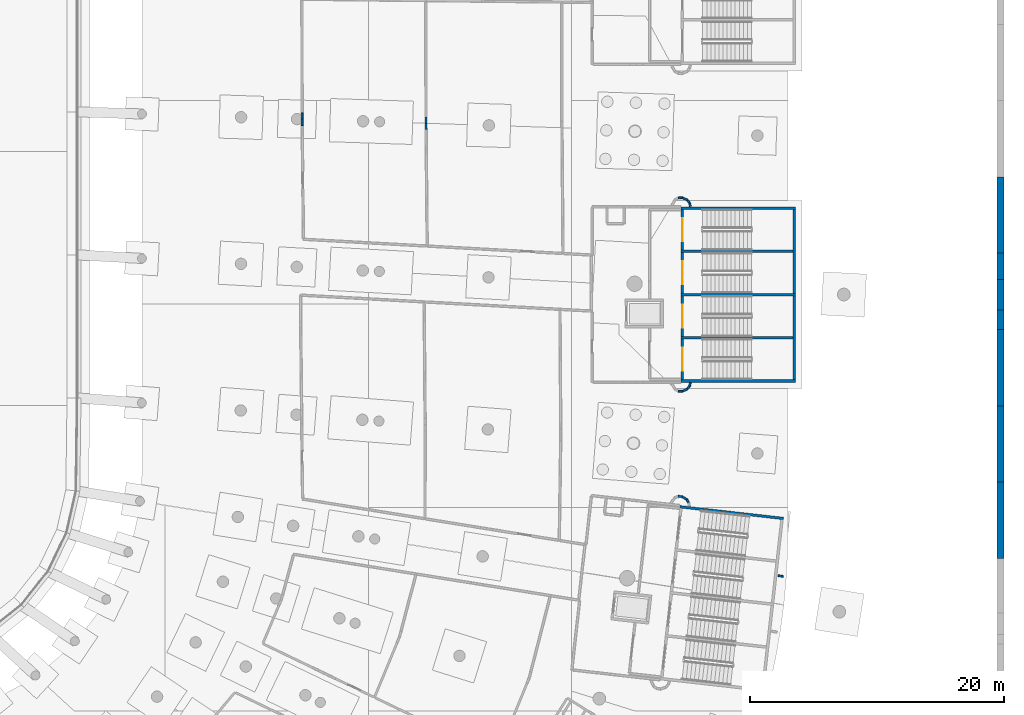
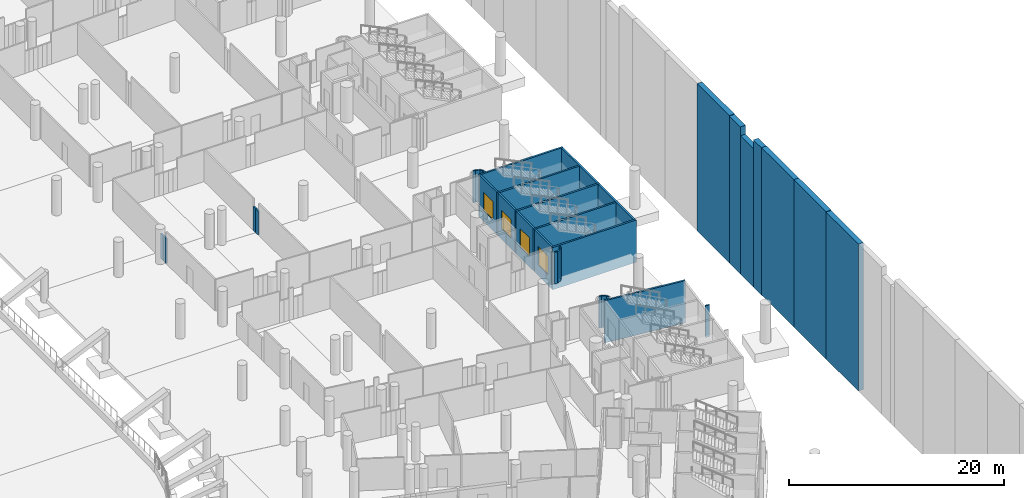
# One storey, part 63 of 142: 35 walls, 4 doors, 4 openings.
"""IFC4 building model written with IfcOpenShell, lengths in metres."""

from ifc_helpers import new_model, si_unit, direction, frame, frame_2d, origin, place, context, subcontext, project, spatial, rectangle, extrude, material, layer, layer_set, type_object, element, fill, save


model = new_model("IFC4")

# Units and contexts
model_context = context("Model", 3, precision=1e-05, world=origin(), true_north=direction((0.0, 1.0)))
body_context = subcontext(model_context, "Body", "Model", "MODEL_VIEW")
ifc_project = project(units=[si_unit("LENGTHUNIT", "METRE"), si_unit("AREAUNIT", "SQUARE_METRE"), si_unit("VOLUMEUNIT", "CUBIC_METRE"), si_unit("PLANEANGLEUNIT", "RADIAN"), si_unit("MASSUNIT", "GRAM", prefix="KILO")], contexts=[model_context])

# Site, building, storey
site_placement = place(None, origin())
site = spatial("IfcSite", under=ifc_project, at=site_placement, CompositionType="ELEMENT")
building_placement = place(site_placement, origin())
building = spatial("IfcBuilding", under=site, at=building_placement, Name="Meseta Stadium", CompositionType="ELEMENT")
storey_placement = place(building_placement, frame((0.0, 0.0, -4.0)))
storey = spatial("IfcBuildingStorey", under=building, at=storey_placement, Name="B1", CompositionType="ELEMENT", Elevation=-4.0)

# Walls
ifc_material_1 = material(Name="Concrete C40/50", Category="concrete")
ifc_layer_1 = layer(ifc_material_1, 0.199951171875)
ifc_layer_set_1 = layer_set([ifc_layer_1], Name="Core divider wall 200")
wall_type_1 = type_object("IfcWallType", Name="Core divider wall 200", PredefinedType="SHEAR", material=ifc_layer_set_1)
for number, where, z_axis, x_axis, name in (
    (1, (97.60009765625, -34.64990234375, -1.199951171875), (0.0, 0.0, 1.0), (-1.0, 0.0, 0.0), "Core 02 B1 stair A divider wall"),
    (2, (97.60009765625, -27.85009765625, -1.199951171875), (0.0, 0.0, 1.0), (-1.0, 0.0, 0.0), "Core 02 B1 stair B divider wall"),
):
    element("IfcWall", number, at=place(storey_placement, frame(where, z_axis=z_axis, x_axis=x_axis)), inside=storey, type_object=wall_type_1, Name=name, PredefinedType="SHEAR", context=body_context, shape_type="SweptSolid", body=[
        extrude(rectangle(XDim=9.0, YDim=0.199951171875, at=frame_2d((4.5, 0.0))), origin(), (0.0, 0.0, 1.0), 4.800048828125),
    ])
ifc_material_2 = material(Name="Concrete C40/50", Category="concrete")
ifc_layer_2 = layer(ifc_material_2, 0.199951171875)
ifc_layer_set_2 = layer_set([ifc_layer_2], Name="Core shaft wall 200")
wall_type_2 = type_object("IfcWallType", Name="Core shaft wall 200", PredefinedType="SHEAR", material=ifc_layer_set_2)
wall_1_placement = place(storey_placement, frame((96.645751953125, -48.86328125, -1.199951171875), z_axis=(0.0, 0.0, 1.0), x_axis=(-0.993714104693, 0.111947658007, 0.0)))
element("IfcWall", 3, at=wall_1_placement, inside=storey, type_object=wall_type_2, Name="Core 01 B1 stair wall B-side", PredefinedType="SHEAR", context=body_context, shape_type="SweptSolid", body=[
    extrude(rectangle(XDim=8.199951171875, YDim=0.199951171875, at=frame_2d((4.10009765625, 0.0))), origin(), (0.0, 0.0, 1.0), 4.800048828125),
])
for number, where, z_axis, x_axis, name in (
    (4, (97.60009765625, -38.050048828125, -1.199951171875), (0.0, 0.0, 1.0), (-1.0, 0.0, 0.0), "Core 02 B1 stair wall A-side"),
    (5, (97.60009765625, -31.25, -1.199951171875), (0.0, 0.0, 1.0), (-1.0, 0.0, 0.0), "Core 02 B1 stair wall shared"),
    (6, (97.60009765625, -24.449951171875, -1.199951171875), (0.0, 0.0, 1.0), (-1.0, 0.0, 0.0), "Core 02 B1 stair wall B-side"),
):
    element("IfcWall", number, at=place(storey_placement, frame(where, z_axis=z_axis, x_axis=x_axis)), inside=storey, type_object=wall_type_2, Name=name, PredefinedType="SHEAR", context=body_context, shape_type="SweptSolid", body=[
        extrude(rectangle(XDim=9.0, YDim=0.199951171875, at=frame_2d((4.5, 0.0))), origin(), (0.0, 0.0, 1.0), 4.800048828125),
    ])
for number, where, z_axis, x_axis, name in (
    (7, (97.5, -37.949951171875, -1.199951171875), (0.0, 0.0, 1.0), (0.0, 1.0, 0.0), "Core 02 B1 stair A outer end wall"),
    (8, (97.5, -31.14990234375, -1.199951171875), (0.0, 0.0, 1.0), (0.0, 1.0, 0.0), "Core 02 B1 stair B outer end wall"),
):
    element("IfcWall", number, at=place(storey_placement, frame(where, z_axis=z_axis, x_axis=x_axis)), inside=storey, type_object=wall_type_2, Name=name, PredefinedType="SHEAR", context=body_context, shape_type="SweptSolid", body=[
        extrude(rectangle(XDim=6.599853515625, YDim=0.199951171875, at=frame_2d((3.2998046875, 0.0))), origin(), (0.0, 0.0, 1.0), 4.800048828125),
    ])

# Wall, opening, door
wall_2_placement = place(storey_placement, frame((88.699951171875, -37.949951171875, -1.199951171875), z_axis=(0.0, 0.0, 1.0), x_axis=(0.0, 1.0, 0.0)))
wall_2 = element("IfcWall", 9, at=wall_2_placement, inside=storey, type_object=wall_type_2, Name="Core 02 B1 stair A1 inner end wall", PredefinedType="SHEAR", context=body_context, shape_type="SweptSolid", body=[
    extrude(rectangle(XDim=3.199951171875, YDim=0.199951171875, at=frame_2d((1.60009765625, 0.0))), origin(), (0.0, 0.0, 1.0), 4.800048828125),
])
opening_1_placement = place(wall_2_placement, frame((0.699951171875, 0.0, 1.199951171875)))
opening_1 = element("IfcOpeningElement", 10, at=opening_1_placement, cuts=wall_2, Name="Opening D043", PredefinedType="OPENING", context=body_context, shape_type="SweptSolid", body=[
    extrude(rectangle(XDim=1.800048828125, YDim=2.10009765625, at=frame_2d((0.89990234375, 1.050048828125))), frame((0.0, 0.10986328125, 0.0), z_axis=(0.0, -1.0, 0.0), x_axis=(1.0, 0.0, 0.0)), (0.0, 0.0, 1.0), 0.219970703125),
])
ifc_material_3 = material(Name="Steel", Category="steel")
door_type = type_object("IfcDoorType", Name="Stair door 1800x2100", OperationType="DOUBLE_DOOR_SINGLE_SWING", PredefinedType="DOOR", material=ifc_material_3)
door_1_placement = place(opening_1_placement, origin())
door_1 = element("IfcDoor", 11, at=door_1_placement, inside=storey, type_object=door_type, Name="Stair A1 door 02 B1", OperationType="DOUBLE_DOOR_SINGLE_SWING", OverallHeight=2.10009765625, OverallWidth=1.800048828125, PredefinedType="DOOR", context=body_context, shape_type="SweptSolid", body=[
    extrude(rectangle(XDim=1.800048828125, YDim=2.10009765625, at=frame_2d((0.89990234375, 1.050048828125))), frame((0.0, 0.02490234375, 0.0), z_axis=(0.0, -1.0, 0.0), x_axis=(1.0, 0.0, 0.0)), (0.0, 0.0, 1.0), 0.050048828125),
])
fill(opening_1, door_1)

wall_3_placement = place(storey_placement, frame((88.699951171875, -34.550048828125, -1.199951171875), z_axis=(0.0, 0.0, 1.0), x_axis=(0.0, 1.0, 0.0)))
wall_3 = element("IfcWall", 12, at=wall_3_placement, inside=storey, type_object=wall_type_2, Name="Core 02 B1 stair A2 inner end wall", PredefinedType="SHEAR", context=body_context, shape_type="SweptSolid", body=[
    extrude(rectangle(XDim=3.199951171875, YDim=0.199951171875, at=frame_2d((1.60009765625, 0.0))), origin(), (0.0, 0.0, 1.0), 4.800048828125),
])
opening_2_placement = place(wall_3_placement, frame((0.699951171875, 0.0, 1.199951171875)))
opening_2 = element("IfcOpeningElement", 13, at=opening_2_placement, cuts=wall_3, Name="Opening D044", PredefinedType="OPENING", context=body_context, shape_type="SweptSolid", body=[
    extrude(rectangle(XDim=1.800048828125, YDim=2.10009765625, at=frame_2d((0.89990234375, 1.050048828125))), frame((0.0, 0.10986328125, 0.0), z_axis=(0.0, -1.0, 0.0), x_axis=(1.0, 0.0, 0.0)), (0.0, 0.0, 1.0), 0.219970703125),
])
door_2_placement = place(opening_2_placement, origin())
door_2 = element("IfcDoor", 14, at=door_2_placement, inside=storey, type_object=door_type, Name="Stair A2 door 02 B1", OperationType="DOUBLE_DOOR_SINGLE_SWING", OverallHeight=2.10009765625, OverallWidth=1.800048828125, PredefinedType="DOOR", context=body_context, shape_type="SweptSolid", body=[
    extrude(rectangle(XDim=1.800048828125, YDim=2.10009765625, at=frame_2d((0.89990234375, 1.050048828125))), frame((0.0, 0.02490234375, 0.0), z_axis=(0.0, -1.0, 0.0), x_axis=(1.0, 0.0, 0.0)), (0.0, 0.0, 1.0), 0.050048828125),
])
fill(opening_2, door_2)

wall_4_placement = place(storey_placement, frame((88.699951171875, -31.14990234375, -1.199951171875), z_axis=(0.0, 0.0, 1.0), x_axis=(0.0, 1.0, 0.0)))
wall_4 = element("IfcWall", 15, at=wall_4_placement, inside=storey, type_object=wall_type_2, Name="Core 02 B1 stair B1 inner end wall", PredefinedType="SHEAR", context=body_context, shape_type="SweptSolid", body=[
    extrude(rectangle(XDim=3.199951171875, YDim=0.199951171875, at=frame_2d((1.60009765625, 0.0))), origin(), (0.0, 0.0, 1.0), 4.800048828125),
])
opening_3_placement = place(wall_4_placement, frame((0.699951171875, 0.0, 1.199951171875)))
opening_3 = element("IfcOpeningElement", 16, at=opening_3_placement, cuts=wall_4, Name="Opening D045", PredefinedType="OPENING", context=body_context, shape_type="SweptSolid", body=[
    extrude(rectangle(XDim=1.800048828125, YDim=2.10009765625, at=frame_2d((0.89990234375, 1.050048828125))), frame((0.0, 0.10986328125, 0.0), z_axis=(0.0, -1.0, 0.0), x_axis=(1.0, 0.0, 0.0)), (0.0, 0.0, 1.0), 0.219970703125),
])
door_3_placement = place(opening_3_placement, origin())
door_3 = element("IfcDoor", 17, at=door_3_placement, inside=storey, type_object=door_type, Name="Stair B1 door 02 B1", OperationType="DOUBLE_DOOR_SINGLE_SWING", OverallHeight=2.10009765625, OverallWidth=1.800048828125, PredefinedType="DOOR", context=body_context, shape_type="SweptSolid", body=[
    extrude(rectangle(XDim=1.800048828125, YDim=2.10009765625, at=frame_2d((0.89990234375, 1.050048828125))), frame((0.0, 0.02490234375, 0.0), z_axis=(0.0, -1.0, 0.0), x_axis=(1.0, 0.0, 0.0)), (0.0, 0.0, 1.0), 0.050048828125),
])
fill(opening_3, door_3)

wall_5_placement = place(storey_placement, frame((88.699951171875, -27.75, -1.199951171875), z_axis=(0.0, 0.0, 1.0), x_axis=(0.0, 1.0, 0.0)))
wall_5 = element("IfcWall", 18, at=wall_5_placement, inside=storey, type_object=wall_type_2, Name="Core 02 B1 stair B2 inner end wall", PredefinedType="SHEAR", context=body_context, shape_type="SweptSolid", body=[
    extrude(rectangle(XDim=3.199951171875, YDim=0.199951171875, at=frame_2d((1.60009765625, 0.0))), origin(), (0.0, 0.0, 1.0), 4.800048828125),
])
opening_4_placement = place(wall_5_placement, frame((0.699951171875, 0.0, 1.199951171875)))
opening_4 = element("IfcOpeningElement", 19, at=opening_4_placement, cuts=wall_5, Name="Opening D046", PredefinedType="OPENING", context=body_context, shape_type="SweptSolid", body=[
    extrude(rectangle(XDim=1.800048828125, YDim=2.10009765625, at=frame_2d((0.89990234375, 1.050048828125))), frame((0.0, 0.10986328125, 0.0), z_axis=(0.0, -1.0, 0.0), x_axis=(1.0, 0.0, 0.0)), (0.0, 0.0, 1.0), 0.219970703125),
])
door_4_placement = place(opening_4_placement, origin())
door_4 = element("IfcDoor", 20, at=door_4_placement, inside=storey, type_object=door_type, Name="Stair B2 door 02 B1", OperationType="DOUBLE_DOOR_SINGLE_SWING", OverallHeight=2.10009765625, OverallWidth=1.800048828125, PredefinedType="DOOR", context=body_context, shape_type="SweptSolid", body=[
    extrude(rectangle(XDim=1.800048828125, YDim=2.10009765625, at=frame_2d((0.89990234375, 1.050048828125))), frame((0.0, 0.02490234375, 0.0), z_axis=(0.0, -1.0, 0.0), x_axis=(1.0, 0.0, 0.0)), (0.0, 0.0, 1.0), 0.050048828125),
])
fill(opening_4, door_4)

# Walls
ifc_material_4 = material(Name="Masonry blockwork", Category="masonry")
ifc_layer_3 = layer(ifc_material_4, 0.14990234375)
ifc_layer_set_3 = layer_set([ifc_layer_3], Name="Partition 150")
wall_type_3 = type_object("IfcWallType", Name="Partition 150", PredefinedType="PARTITIONING", material=ifc_layer_set_3)
wall_6_placement = place(storey_placement, frame((96.63134765625, -53.426025390625, 0.0), z_axis=(0.0, 0.0, 1.0), x_axis=(-0.987228641095, 0.159309793174, 0.0)))
element("IfcWall", 21, at=wall_6_placement, inside=storey, type_object=wall_type_3, Name="Partition B1 B1-cell00-3-0", PredefinedType="PARTITIONING", context=body_context, shape_type="SweptSolid", body=[
    extrude(rectangle(XDim=0.39697265625, YDim=0.14990234375, at=frame_2d((0.198486328125, 0.0))), origin(), (0.0, 0.0, 1.0), 3.60009765625),
])
for number, where, z_axis, x_axis, name in (
    (22, (68.53466796875, -17.298095703125, 0.0), (0.0, 0.0, 1.0), (0.001011633271, -0.999999488299, 0.0), "Partition B1 B1-cell01-1-0"),
    (23, (68.53515625, -17.78076171875, 0.0), (0.0, 0.0, 1.0), (0.009610077198, -0.999953822142, 0.0), "Partition B1 B1-cell01-1-0"),
):
    element("IfcWall", number, at=place(storey_placement, frame(where, z_axis=z_axis, x_axis=x_axis)), inside=storey, type_object=wall_type_3, Name=name, PredefinedType="PARTITIONING", context=body_context, shape_type="SweptSolid", body=[
        extrude(rectangle(XDim=0.482666015625, YDim=0.14990234375, at=frame_2d((0.2412109375, 0.0))), origin(), (0.0, 0.0, 1.0), 2.699951171875),
    ])
wall_7_placement = place(storey_placement, frame((58.7958984375, -17.957275390625, 0.0), z_axis=(0.0, 0.0, 1.0), x_axis=(-0.011295939378, 0.999936198841, 0.0)))
element("IfcWall", 24, at=wall_7_placement, inside=storey, type_object=wall_type_3, Name="Partition B1 B1-cell01-1-0", PredefinedType="PARTITIONING", context=body_context, shape_type="SweptSolid", body=[
    extrude(rectangle(XDim=0.4970703125, YDim=0.14990234375, at=frame_2d((0.24853515625, 0.0))), origin(), (0.0, 0.0, 1.0), 2.85009765625),
])
wall_8_placement = place(storey_placement, frame((58.790283203125, -17.460205078125, 0.0), z_axis=(0.0, 0.0, 1.0), x_axis=(-0.001474199872, 0.999998913367, 0.0)))
element("IfcWall", 25, at=wall_8_placement, inside=storey, type_object=wall_type_3, Name="Partition B1 B1-cell01-1-0", PredefinedType="PARTITIONING", context=body_context, shape_type="SweptSolid", body=[
    extrude(rectangle(XDim=0.496826171875, YDim=0.14990234375, at=frame_2d((0.24853515625, 0.0))), origin(), (0.0, 0.0, 1.0), 2.85009765625),
])
wall_9_placement = place(storey_placement, frame((89.205810546875, -47.6435546875, 0.0), z_axis=(0.0, 0.0, 1.0), x_axis=(-0.458707712007, 0.888587212909, 0.0)))
element("IfcWall", 26, at=wall_9_placement, inside=storey, type_object=wall_type_3, Name="Stair vestibule wall B1 core 01", PredefinedType="PARTITIONING", context=body_context, shape_type="SweptSolid", body=[
    extrude(rectangle(XDim=0.287841796875, YDim=0.14990234375, at=frame_2d((0.14404296875, 0.0))), origin(), (0.0, 0.0, 1.0), 3.60009765625),
])
wall_10_placement = place(storey_placement, frame((89.07373046875, -47.3876953125, 0.0), z_axis=(0.0, 0.0, 1.0), x_axis=(-0.850449593678, 0.526056545072, 0.0)))
element("IfcWall", 27, at=wall_10_placement, inside=storey, type_object=wall_type_3, Name="Stair vestibule wall B1 core 01", PredefinedType="PARTITIONING", context=body_context, shape_type="SweptSolid", body=[
    extrude(rectangle(XDim=0.4794921875, YDim=0.14990234375, at=frame_2d((0.23974609375, 0.0))), origin(), (0.0, 0.0, 1.0), 3.60009765625),
])
for number, where, z_axis, x_axis, name in (
    (28, (88.666015625, -47.135498046875, 0.0), (0.0, 0.0, 1.0), (-0.999908858978, 0.013500879109, 0.0), "Stair vestibule wall B1 core 01"),
    (29, (88.38916015625, -38.84521484375, 0.0), (0.0, 0.0, 1.0), (0.995194714408, -0.097915680128, 0.0), "Stair vestibule wall B1 core 02"),
):
    element("IfcWall", number, at=place(storey_placement, frame(where, z_axis=z_axis, x_axis=x_axis)), inside=storey, type_object=wall_type_3, Name=name, PredefinedType="PARTITIONING", context=body_context, shape_type="SweptSolid", body=[
        extrude(rectangle(XDim=0.289306640625, YDim=0.14990234375, at=frame_2d((0.14453125, 0.0))), origin(), (0.0, 0.0, 1.0), 3.60009765625),
    ])
wall_11_placement = place(storey_placement, frame((88.677001953125, -38.87353515625, 0.0), z_axis=(0.0, 0.0, 1.0), x_axis=(0.90398642908, 0.427561148889, 0.0)))
element("IfcWall", 30, at=wall_11_placement, inside=storey, type_object=wall_type_3, Name="Stair vestibule wall B1 core 02", PredefinedType="PARTITIONING", context=body_context, shape_type="SweptSolid", body=[
    extrude(rectangle(XDim=0.479736328125, YDim=0.14990234375, at=frame_2d((0.23974609375, 0.0))), origin(), (0.0, 0.0, 1.0), 3.60009765625),
])
wall_12_placement = place(storey_placement, frame((89.110595703125, -38.66845703125, 0.0), z_axis=(0.0, 0.0, 1.0), x_axis=(0.555678694372, 0.831397130511, 0.0)))
element("IfcWall", 31, at=wall_12_placement, inside=storey, type_object=wall_type_3, Name="Stair vestibule wall B1 core 02", PredefinedType="PARTITIONING", context=body_context, shape_type="SweptSolid", body=[
    extrude(rectangle(XDim=0.287841796875, YDim=0.14990234375, at=frame_2d((0.14404296875, 0.0))), origin(), (0.0, 0.0, 1.0), 3.60009765625),
])
for number, where, z_axis, x_axis, name in (
    (32, (89.2705078125, -38.42919921875, 0.0), (0.0, 0.0, 1.0), (0.230253879357, 0.973130593004, 0.0), "Stair vestibule wall B1 core 02"),
    (33, (89.329833984375, -24.321533203125, 0.0), (0.0, 0.0, 1.0), (-0.230253879357, 0.973130593004, 0.0), "Stair vestibule wall B1 core 02"),
):
    element("IfcWall", number, at=place(storey_placement, frame(where, z_axis=z_axis, x_axis=x_axis)), inside=storey, type_object=wall_type_3, Name=name, PredefinedType="PARTITIONING", context=body_context, shape_type="SweptSolid", body=[
        extrude(rectangle(XDim=0.257568359375, YDim=0.14990234375, at=frame_2d((0.12890625, 0.0))), origin(), (0.0, 0.0, 1.0), 3.60009765625),
    ])
wall_13_placement = place(storey_placement, frame((89.2705078125, -24.07080078125, 0.0), z_axis=(0.0, 0.0, 1.0), x_axis=(-0.555678694372, 0.831397130511, 0.0)))
element("IfcWall", 34, at=wall_13_placement, inside=storey, type_object=wall_type_3, Name="Stair vestibule wall B1 core 02", PredefinedType="PARTITIONING", context=body_context, shape_type="SweptSolid", body=[
    extrude(rectangle(XDim=0.287841796875, YDim=0.14990234375, at=frame_2d((0.14404296875, 0.0))), origin(), (0.0, 0.0, 1.0), 3.60009765625),
])
wall_14_placement = place(storey_placement, frame((89.110595703125, -23.83154296875, 0.0), z_axis=(0.0, 0.0, 1.0), x_axis=(-0.90398642908, 0.427561148889, 0.0)))
element("IfcWall", 35, at=wall_14_placement, inside=storey, type_object=wall_type_3, Name="Stair vestibule wall B1 core 02", PredefinedType="PARTITIONING", context=body_context, shape_type="SweptSolid", body=[
    extrude(rectangle(XDim=0.479736328125, YDim=0.14990234375, at=frame_2d((0.23974609375, 0.0))), origin(), (0.0, 0.0, 1.0), 3.60009765625),
])
wall_15_placement = place(storey_placement, frame((88.677001953125, -23.62646484375, 0.0), z_axis=(0.0, 0.0, 1.0), x_axis=(-0.995194714408, -0.097915680128, 0.0)))
element("IfcWall", 36, at=wall_15_placement, inside=storey, type_object=wall_type_3, Name="Stair vestibule wall B1 core 02", PredefinedType="PARTITIONING", context=body_context, shape_type="SweptSolid", body=[
    extrude(rectangle(XDim=0.289306640625, YDim=0.14990234375, at=frame_2d((0.14453125, 0.0))), origin(), (0.0, 0.0, 1.0), 3.60009765625),
])
ifc_material_5 = material(Name="Concrete C30/37", Category="concrete")
ifc_layer_4 = layer(ifc_material_5, 0.550048828125)
ifc_layer_set_4 = layer_set([ifc_layer_4], Name="Site retaining wall 550")
wall_type_4 = type_object("IfcWallType", Name="Site retaining wall 550", PredefinedType="SOLIDWALL", material=ifc_layer_set_4)
wall_16_placement = place(storey_placement, frame((113.72509765625, -51.999755859375, -13.0), z_axis=(0.0, 0.0, 1.0), x_axis=(0.0, 1.0, 0.0)))
element("IfcWall", 37, at=wall_16_placement, inside=storey, type_object=wall_type_4, Name="Site retaining wall 63", PredefinedType="SOLIDWALL", context=body_context, shape_type="SweptSolid", body=[
    extrude(rectangle(XDim=6.0, YDim=0.550048828125, at=frame_2d((3.0, 0.0))), origin(), (0.0, 0.0, 1.0), 16.699951171875),
])
for number, where, z_axis, x_axis, name in (
    (38, (113.72509765625, -45.999755859375, -13.0), (0.0, 0.0, 1.0), (0.0, 1.0, 0.0), "Site retaining wall 64"),
    (39, (113.72509765625, -39.999755859375, -13.0), (0.0, 0.0, 1.0), (0.0, 1.0, 0.0), "Site retaining wall 65"),
):
    element("IfcWall", number, at=place(storey_placement, frame(where, z_axis=z_axis, x_axis=x_axis)), inside=storey, type_object=wall_type_4, Name=name, PredefinedType="SOLIDWALL", context=body_context, shape_type="SweptSolid", body=[
        extrude(rectangle(XDim=6.0, YDim=0.550048828125, at=frame_2d((3.0, 0.0))), origin(), (0.0, 0.0, 1.0), 16.75),
    ])
wall_17_placement = place(storey_placement, frame((113.72509765625, -33.999755859375, -13.0), z_axis=(0.0, 0.0, 1.0), x_axis=(0.0, 1.0, 0.0)))
element("IfcWall", 40, at=wall_17_placement, inside=storey, type_object=wall_type_4, Name="Site retaining wall 66", PredefinedType="SOLIDWALL", context=body_context, shape_type="SweptSolid", body=[
    extrude(rectangle(XDim=1.5498046875, YDim=0.550048828125, at=frame_2d((0.77490234375, 0.0))), origin(), (0.0, 0.0, 1.0), 16.699951171875),
])
wall_18_placement = place(storey_placement, frame((113.72509765625, -32.449951171875, -13.0), z_axis=(0.0, 0.0, 1.0), x_axis=(0.0, 1.0, 0.0)))
element("IfcWall", 41, at=wall_18_placement, inside=storey, type_object=wall_type_4, Name="Site retaining wall 67", PredefinedType="SOLIDWALL", context=body_context, shape_type="SweptSolid", body=[
    extrude(rectangle(XDim=2.39990234375, YDim=0.550048828125, at=frame_2d((1.199951171875, 0.0))), origin(), (0.0, 0.0, 1.0), 15.699951171875),
])
wall_19_placement = place(storey_placement, frame((113.72509765625, -30.050048828125, -13.0), z_axis=(0.0, 0.0, 1.0), x_axis=(0.0, 1.0, 0.0)))
element("IfcWall", 42, at=wall_19_placement, inside=storey, type_object=wall_type_4, Name="Site retaining wall 68", PredefinedType="SOLIDWALL", context=body_context, shape_type="SweptSolid", body=[
    extrude(rectangle(XDim=2.050048828125, YDim=0.550048828125, at=frame_2d((1.02490234375, 0.0))), origin(), (0.0, 0.0, 1.0), 16.699951171875),
])
wall_20_placement = place(storey_placement, frame((113.72509765625, -28.0, -13.0), z_axis=(0.0, 0.0, 1.0), x_axis=(0.0, 1.0, 0.0)))
element("IfcWall", 43, at=wall_20_placement, inside=storey, type_object=wall_type_4, Name="Site retaining wall 69", PredefinedType="SOLIDWALL", context=body_context, shape_type="SweptSolid", body=[
    extrude(rectangle(XDim=6.0, YDim=0.550048828125, at=frame_2d((3.0, 0.0))), origin(), (0.0, 0.0, 1.0), 16.75),
])

save(model, "model.ifc")
